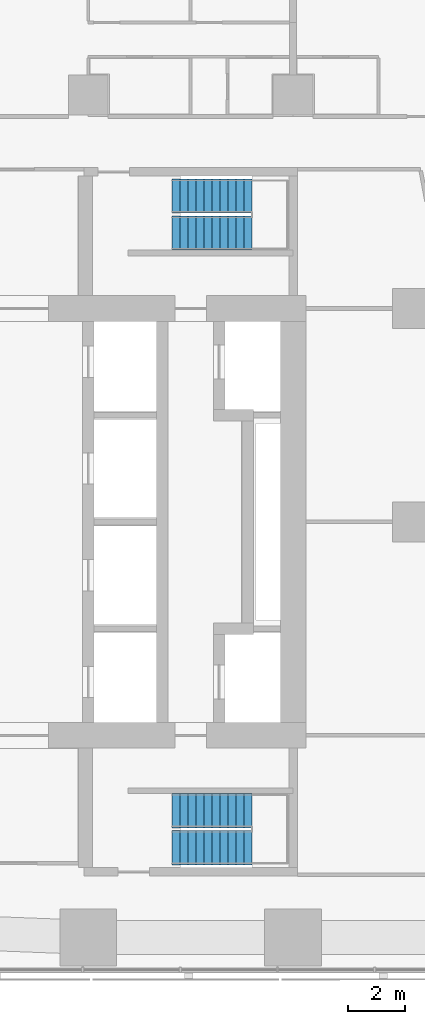
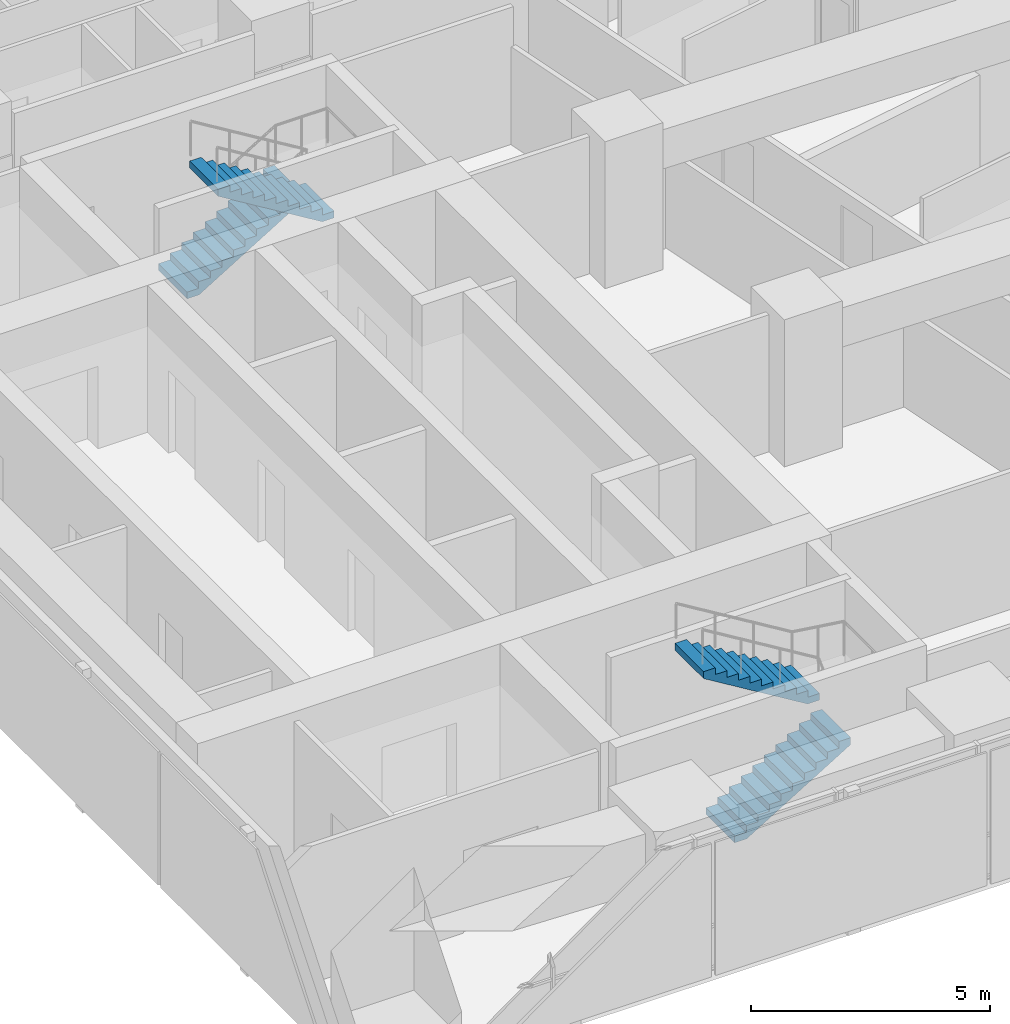
# One storey, part 10 of 11: 4 stair flights, 2 elements without a shape of their own.
"""IFC4 building model written with IfcOpenShell, lengths in metres."""

import ifcopenshell
import ifcopenshell.guid

model = None  # the IFC model being written
_history = None  # IfcOwnerHistory: only IFC2X3 demands one
_inside = {}  # id of a spatial element -> (the spatial element, [elements in it])
_under = {}  # id of a project, library or spatial element -> (it, [spatial elements below it])
_declared = {}  # id of a project -> (the project, [libraries it declares])
_typed = {}  # id of a type object -> (the type object, [elements of that type])
_made_of = {}  # id of a material, layer set ... -> (it, [elements and type objects made of it])


def new_model(schema):
    """Start an empty IFC model of exactly this schema.

    Asked for "IFC4X3", IfcOpenShell would pick the latest addendum, in which some entities
    have other attributes; the version numbers below select the first issue.
    IFC2X3 requires an IfcOwnerHistory on every rooted entity: one is made here for all.
    """
    global model, _history
    if schema == "IFC4X3":
        model = ifcopenshell.file(schema_version=(4, 3, 0, 0))
    else:
        model = ifcopenshell.file(schema=schema)
    _inside.clear()
    _under.clear()
    _declared.clear()
    _typed.clear()
    _made_of.clear()
    _history = None
    if model.schema == "IFC2X3":
        org = make("IfcOrganization", Name="unknown")
        user = make(
            "IfcPersonAndOrganization",
            ThePerson=make("IfcPerson", FamilyName="unknown"),
            TheOrganization=org,
        )
        app = make(
            "IfcApplication",
            ApplicationDeveloper=org,
            Version="unknown",
            ApplicationFullName="unknown",
            ApplicationIdentifier="unknown",
        )
        _history = make(
            "IfcOwnerHistory",
            OwningUser=user,
            OwningApplication=app,
            ChangeAction="ADDED",
            CreationDate=0,
        )
    return model


def make(cls, **values):
    """One entity of the class cls with the attributes given. An attribute that is None is left unset."""
    return model.create_entity(
        cls, **{name: value for name, value in values.items() if value is not None}
    )


def rooted(cls, **values):
    """An entity with a GlobalId (a new one), such as an element, a storey or a relation."""
    return make(cls, GlobalId=ifcopenshell.guid.new(), OwnerHistory=_history, **values)


def si_unit(unit_type, name, prefix=None):
    """IfcSIUnit, for example si_unit("LENGTHUNIT", "METRE", prefix="MILLI")."""
    return make("IfcSIUnit", UnitType=unit_type, Prefix=prefix, Name=name)


def assignment(units):
    """IfcUnitAssignment: the units of a project."""
    return None if units is None else make("IfcUnitAssignment", Units=units)


def point(xyz):
    """IfcCartesianPoint."""
    return None if xyz is None else make("IfcCartesianPoint", Coordinates=xyz)


def direction(xyz):
    """IfcDirection."""
    return None if xyz is None else make("IfcDirection", DirectionRatios=xyz)


def frame(location, z_axis=None, x_axis=None):
    """IfcAxis2Placement3D, a coordinate frame: its origin and axes. An axis left out is left unset."""
    return make(
        "IfcAxis2Placement3D",
        Location=point(location),
        Axis=direction(z_axis),
        RefDirection=direction(x_axis),
    )


def origin():
    """The frame at (0, 0, 0) with its axes left unset."""
    return frame((0.0, 0.0, 0.0))


def place(relative_to, where):
    """IfcLocalPlacement: puts the frame where relative to a parent placement (None: the world)."""
    return make(
        "IfcLocalPlacement", PlacementRelTo=relative_to, RelativePlacement=where
    )


def context(
    kind, dimensions, precision=None, world=None, true_north=None, identifier=None
):
    """IfcGeometricRepresentationContext, for example the 3D "Model" context."""
    return make(
        "IfcGeometricRepresentationContext",
        ContextIdentifier=identifier,
        ContextType=kind,
        CoordinateSpaceDimension=dimensions,
        Precision=precision,
        WorldCoordinateSystem=world,
        TrueNorth=true_north,
    )


def subcontext(parent, identifier, kind, view, scale=None):
    """IfcGeometricRepresentationSubContext, for example "Body" below "Model"."""
    return make(
        "IfcGeometricRepresentationSubContext",
        ContextIdentifier=identifier,
        ContextType=kind,
        ParentContext=parent,
        TargetScale=scale,
        TargetView=view,
    )


def project(units=None, contexts=None):
    """IfcProject with its units and contexts."""
    return rooted(
        "IfcProject",
        Name="project",
        RepresentationContexts=contexts,
        UnitsInContext=assignment(units),
    )


def spatial(cls, under=None, at=None, **own):
    """A site, building, storey or space (cls), placed at a placement, below another one or the project."""
    s = rooted(cls, ObjectPlacement=at, **own)
    if under is not None:
        _under.setdefault(under.id(), (under, []))[1].append(s)
    return s


def point_list(points):
    """IfcCartesianPointList2D or 3D."""
    cls = (
        "IfcCartesianPointList2D" if len(points[0]) == 2 else "IfcCartesianPointList3D"
    )
    return make(cls, CoordList=points)


def triangles(points, corners, closed=None, point_numbers=None):
    """IfcTriangulatedFaceSet: each triangle names its three corners, points numbered from 1."""
    return make(
        "IfcTriangulatedFaceSet",
        Coordinates=point_list(points),
        Closed=closed,
        CoordIndex=corners,
        PnIndex=point_numbers,
    )


def shape(context_of_items, identifier, shape_type, items):
    """IfcShapeRepresentation: the items that make up one representation, for example the "Body"."""
    return make(
        "IfcShapeRepresentation",
        ContextOfItems=context_of_items,
        RepresentationIdentifier=identifier,
        RepresentationType=shape_type,
        Items=items,
    )


def material(Name=None, Category=None):
    """IfcMaterial."""
    return make("IfcMaterial", Name=Name, Category=Category)


def made_of(thing, what):
    """Note that an element or type object is made of a material, layer set ...; save() writes the relation."""
    if what is not None:
        _made_of.setdefault(what.id(), (what, []))[1].append(thing)
    return thing


def type_object(cls, material=None, **own):
    """A type object (cls), such as IfcWallType, which elements share."""
    return made_of(rooted(cls, **own), material)


def element(
    cls,
    number,
    at=None,
    inside=None,
    cuts=None,
    type_object=None,
    material=None,
    context=None,
    identifier="Body",
    shape_type=None,
    held_by="IfcProductDefinitionShape",
    body=None,
    shapes=None,
    **own,
):
    """One element of the class cls, such as IfcWall. Its Tag is "e" and its number.

    at: its placement. inside: the storey or other place that contains it. cuts: it is an
    opening in that element (IfcRelVoidsElement). A single representation is given by context,
    identifier, shape_type and body (its items); several are given by shapes. held_by: the class
    of the entity that holds the representations. save() writes the other relations.
    """
    e = rooted(cls, Tag="e%d" % number, ObjectPlacement=at, **own)
    if body is not None:
        shapes = [shape(context, identifier, shape_type, body)]
    if shapes is not None:
        e.Representation = make(held_by, Representations=shapes)
    if inside is not None:
        _inside.setdefault(inside.id(), (inside, []))[1].append(e)
    if cuts is not None:
        rooted(
            "IfcRelVoidsElement", RelatingBuildingElement=cuts, RelatedOpeningElement=e
        )
    if type_object is not None:
        _typed.setdefault(type_object.id(), (type_object, []))[1].append(e)
    return made_of(e, material)


def aggregate(whole, parts):
    """IfcRelAggregates: a whole, such as a stair, and the parts it consists of."""
    return rooted("IfcRelAggregates", RelatingObject=whole, RelatedObjects=parts)


def save(model, path):
    """Write the relations noted so far, then the file.

    IfcRelAggregates (storeys below a building ...), IfcRelContainedInSpatialStructure (elements
    in a storey), IfcRelDefinesByType, IfcRelAssociatesMaterial and IfcRelDeclares: one each for
    every whole, place, type object, material and project.
    """
    for whole, parts in _under.values():
        aggregate(whole, parts)
    for where, things in _inside.values():
        rooted(
            "IfcRelContainedInSpatialStructure",
            RelatedElements=things,
            RelatingStructure=where,
        )
    for kind, things in _typed.values():
        rooted("IfcRelDefinesByType", RelatedObjects=things, RelatingType=kind)
    for what, things in _made_of.values():
        rooted("IfcRelAssociatesMaterial", RelatedObjects=things, RelatingMaterial=what)
    for by, libraries in _declared.values():
        rooted("IfcRelDeclares", RelatingContext=by, RelatedDefinitions=libraries)
    model.write(path)


model = new_model("IFC4")

# Units and contexts
model_context = context("Model", 3, precision=1e-05, world=origin(), true_north=direction((0.0, 1.0)))
body_context = subcontext(model_context, "Body", "Model", "MODEL_VIEW")
ifc_project = project(units=[si_unit("LENGTHUNIT", "METRE"), si_unit("AREAUNIT", "SQUARE_METRE"), si_unit("VOLUMEUNIT", "CUBIC_METRE"), si_unit("PLANEANGLEUNIT", "RADIAN"), si_unit("MASSUNIT", "GRAM", prefix="KILO")], contexts=[model_context])

# Site, building, storey
site_placement = place(None, origin())
site = spatial("IfcSite", under=ifc_project, at=site_placement, CompositionType="ELEMENT")
building_placement = place(site_placement, origin())
building = spatial("IfcBuilding", under=site, at=building_placement, Name="Sheger Commons Tower", CompositionType="ELEMENT")
storey_placement = place(building_placement, frame((0.0, 0.0, 277.85009765625)))
storey = spatial("IfcBuildingStorey", under=building, at=storey_placement, Name="L71", CompositionType="ELEMENT", Elevation=277.85009765625)

# Stair, stair flights
ifc_material_1 = material(Name="Concrete C35/45", Category="concrete")
stair_type = type_object("IfcStairType", Name="HALF-TURN STAIR 1200 RISE 3750", PredefinedType="HALF_TURN_STAIR", material=ifc_material_1)
stair_1_placement = place(storey_placement, origin())
stair_1 = element("IfcStair", 1, at=stair_1_placement, inside=storey, type_object=stair_type, Name="Stair S1 L71", PredefinedType="HALF_TURN_STAIR")
ifc_material_2 = material(Name="Concrete C35/45", Category="concrete")
stair_flight_type = type_object("IfcStairFlightType", Name="STAIR FLIGHT 1200 11 RISERS OF 170", PredefinedType="STRAIGHT", material=ifc_material_2)
stair_flight_1_placement = place(storey_placement, frame((24.550048828125, 11.050048828125, 0.0), z_axis=(0.0, 0.0, 1.0), x_axis=(1.0, 0.0, 0.0)))
stair_flight_1 = element("IfcStairFlight", 2, at=stair_flight_1_placement, type_object=stair_flight_type, Name="S1 flight 1", NumberOfRisers=11, NumberOfTreads=10, PredefinedType="STRAIGHT", RiserHeight=0.170454545, TreadLength=0.28, context=body_context, shape_type="Tessellation", body=[
    triangles([(0.0, 0.5999755859375, 0.0), (0.0, 0.5999755859375, 0.17041015625), (0.280029296875, 0.5999755859375, 0.17041015625), (0.280029296875, 0.5999755859375, 0.3408203125), (0.56005859375, 0.5999755859375, 0.3408203125), (0.56005859375, 0.5999755859375, 0.511474609375), (0.840087890625, 0.5999755859375, 0.511474609375), (0.840087890625, 0.5999755859375, 0.681884765625), (1.1201171875, 0.5999755859375, 0.681884765625), (1.1201171875, 0.5999755859375, 0.852294921875), (1.39990234375, 0.5999755859375, 0.852294921875), (1.39990234375, 0.5999755859375, 1.022705078125), (1.679931640625, 0.5999755859375, 1.022705078125), (1.679931640625, 0.5999755859375, 1.193115234375), (1.9599609375, 0.5999755859375, 1.193115234375), (1.9599609375, 0.5999755859375, 1.363525390625), (2.239990234375, 0.5999755859375, 1.363525390625), (2.239990234375, 0.5999755859375, 1.5341796875), (2.52001953125, 0.5999755859375, 1.5341796875), (2.52001953125, 0.5999755859375, 1.70458984375), (2.800048828125, 0.5999755859375, 1.70458984375), (2.800048828125, 0.5999755859375, 1.529052734375), (0.288330078125, 0.5999755859375, 0.0), (0.0, -0.5999755859375, 0.0), (0.0, -0.5999755859375, 0.17041015625), (0.280029296875, -0.5999755859375, 0.17041015625), (0.280029296875, -0.5999755859375, 0.3408203125), (0.56005859375, -0.5999755859375, 0.3408203125), (0.56005859375, -0.5999755859375, 0.511474609375), (0.840087890625, -0.5999755859375, 0.511474609375), (0.840087890625, -0.5999755859375, 0.681884765625), (1.1201171875, -0.5999755859375, 0.681884765625), (1.1201171875, -0.5999755859375, 0.852294921875), (1.39990234375, -0.5999755859375, 0.852294921875), (1.39990234375, -0.5999755859375, 1.022705078125), (1.679931640625, -0.5999755859375, 1.022705078125), (1.679931640625, -0.5999755859375, 1.193115234375), (1.9599609375, -0.5999755859375, 1.193115234375), (1.9599609375, -0.5999755859375, 1.363525390625), (2.239990234375, -0.5999755859375, 1.363525390625), (2.239990234375, -0.5999755859375, 1.5341796875), (2.52001953125, -0.5999755859375, 1.5341796875), (2.52001953125, -0.5999755859375, 1.70458984375), (2.800048828125, -0.5999755859375, 1.70458984375), (2.800048828125, -0.5999755859375, 1.529052734375), (0.288330078125, -0.5999755859375, 0.0), (0.0, 0.0, 0.085205078125), (0.1400146484375, 0.0, 0.17041015625), (0.280029296875, 0.0, 0.255615234375), (0.4200439453125, 0.0, 0.3408203125), (0.56005859375, 0.0, 0.4261474609375), (0.7000732421875, 0.0, 0.511474609375), (0.840087890625, 0.0, 0.5966796875), (0.9801025390625, 0.0, 0.681884765625), (1.1201171875, 0.0, 0.76708984375), (1.260009765625, 0.0, 0.852294921875), (1.39990234375, 0.0, 0.9375), (1.5399169921875, 0.0, 1.022705078125), (1.679931640625, 0.0, 1.10791015625), (1.8199462890625, 0.0, 1.193115234375), (1.9599609375, 0.0, 1.2783203125), (2.0999755859375, 0.0, 1.363525390625), (2.239990234375, 0.0, 1.4488525390625), (2.3800048828125, 0.0, 1.5341796875), (2.52001953125, 0.0, 1.619384765625), (2.6600341796875, 0.0, 1.70458984375), (2.800048828125, 0.0, 1.6168212890625), (1.544189453125, 0.0, 0.7645263671875), (0.1441650390625, 0.0, 0.0)], [[1, 22, 23], [24, 46, 45], [22, 20, 21], [45, 44, 43], [22, 19, 20], [45, 43, 42], [22, 18, 19], [45, 42, 41], [22, 17, 18], [45, 41, 40], [17, 15, 16], [40, 39, 38], [22, 15, 17], [45, 40, 38], [15, 13, 14], [38, 37, 36], [22, 13, 15], [45, 38, 36], [13, 11, 12], [36, 35, 34], [22, 11, 13], [45, 36, 34], [11, 9, 10], [34, 33, 32], [22, 9, 11], [45, 34, 32], [9, 7, 8], [32, 31, 30], [22, 7, 9], [45, 32, 30], [7, 5, 6], [30, 29, 28], [22, 5, 7], [45, 30, 28], [5, 3, 4], [28, 27, 26], [22, 3, 5], [45, 28, 26], [1, 3, 22], [24, 45, 26], [3, 1, 2], [26, 25, 24], [1, 47, 2], [2, 47, 25], [25, 47, 24], [24, 47, 1], [2, 48, 3], [3, 48, 26], [26, 48, 25], [25, 48, 2], [3, 49, 4], [4, 49, 27], [27, 49, 26], [26, 49, 3], [4, 50, 5], [5, 50, 28], [28, 50, 27], [27, 50, 4], [5, 51, 6], [6, 51, 29], [29, 51, 28], [28, 51, 5], [6, 52, 7], [7, 52, 30], [30, 52, 29], [29, 52, 6], [7, 53, 8], [8, 53, 31], [31, 53, 30], [30, 53, 7], [8, 54, 9], [9, 54, 32], [32, 54, 31], [31, 54, 8], [9, 55, 10], [10, 55, 33], [33, 55, 32], [32, 55, 9], [10, 56, 11], [11, 56, 34], [34, 56, 33], [33, 56, 10], [11, 57, 12], [12, 57, 35], [35, 57, 34], [34, 57, 11], [12, 58, 13], [13, 58, 36], [36, 58, 35], [35, 58, 12], [13, 59, 14], [14, 59, 37], [37, 59, 36], [36, 59, 13], [14, 60, 15], [15, 60, 38], [38, 60, 37], [37, 60, 14], [15, 61, 16], [16, 61, 39], [39, 61, 38], [38, 61, 15], [16, 62, 17], [17, 62, 40], [40, 62, 39], [39, 62, 16], [17, 63, 18], [18, 63, 41], [41, 63, 40], [40, 63, 17], [18, 64, 19], [19, 64, 42], [42, 64, 41], [41, 64, 18], [19, 65, 20], [20, 65, 43], [43, 65, 42], [42, 65, 19], [20, 66, 21], [21, 66, 44], [44, 66, 43], [43, 66, 20], [21, 67, 22], [22, 67, 45], [45, 67, 44], [44, 67, 21], [22, 68, 23], [23, 68, 46], [46, 68, 45], [45, 68, 22], [23, 69, 1], [1, 69, 24], [24, 69, 46], [46, 69, 23]], closed=True),
])
stair_flight_2_placement = place(storey_placement, frame((27.35009765625, 12.35009765625, 1.875), z_axis=(0.0, 0.0, 1.0), x_axis=(-1.0, 0.0, 0.0)))
stair_flight_2 = element("IfcStairFlight", 3, at=stair_flight_2_placement, type_object=stair_flight_type, Name="S1 flight 2", NumberOfRisers=11, NumberOfTreads=10, PredefinedType="STRAIGHT", RiserHeight=0.170454545, TreadLength=0.28, context=body_context, shape_type="Tessellation", body=[
    triangles([(0.0, 0.5999755859375, 0.0), (0.0, 0.5999755859375, 0.17041015625), (0.280029296875, 0.5999755859375, 0.17041015625), (0.280029296875, 0.5999755859375, 0.3408203125), (0.56005859375, 0.5999755859375, 0.3408203125), (0.56005859375, 0.5999755859375, 0.511474609375), (0.840087890625, 0.5999755859375, 0.511474609375), (0.840087890625, 0.5999755859375, 0.681884765625), (1.1201171875, 0.5999755859375, 0.681884765625), (1.1201171875, 0.5999755859375, 0.852294921875), (1.39990234375, 0.5999755859375, 0.852294921875), (1.39990234375, 0.5999755859375, 1.022705078125), (1.679931640625, 0.5999755859375, 1.022705078125), (1.679931640625, 0.5999755859375, 1.193115234375), (1.9599609375, 0.5999755859375, 1.193115234375), (1.9599609375, 0.5999755859375, 1.363525390625), (2.239990234375, 0.5999755859375, 1.363525390625), (2.239990234375, 0.5999755859375, 1.5341796875), (2.52001953125, 0.5999755859375, 1.5341796875), (2.52001953125, 0.5999755859375, 1.70458984375), (2.800048828125, 0.5999755859375, 1.70458984375), (2.800048828125, 0.5999755859375, 1.529052734375), (0.288330078125, 0.5999755859375, 0.0), (0.0, -0.5999755859375, 0.0), (0.0, -0.5999755859375, 0.17041015625), (0.280029296875, -0.5999755859375, 0.17041015625), (0.280029296875, -0.5999755859375, 0.3408203125), (0.56005859375, -0.5999755859375, 0.3408203125), (0.56005859375, -0.5999755859375, 0.511474609375), (0.840087890625, -0.5999755859375, 0.511474609375), (0.840087890625, -0.5999755859375, 0.681884765625), (1.1201171875, -0.5999755859375, 0.681884765625), (1.1201171875, -0.5999755859375, 0.852294921875), (1.39990234375, -0.5999755859375, 0.852294921875), (1.39990234375, -0.5999755859375, 1.022705078125), (1.679931640625, -0.5999755859375, 1.022705078125), (1.679931640625, -0.5999755859375, 1.193115234375), (1.9599609375, -0.5999755859375, 1.193115234375), (1.9599609375, -0.5999755859375, 1.363525390625), (2.239990234375, -0.5999755859375, 1.363525390625), (2.239990234375, -0.5999755859375, 1.5341796875), (2.52001953125, -0.5999755859375, 1.5341796875), (2.52001953125, -0.5999755859375, 1.70458984375), (2.800048828125, -0.5999755859375, 1.70458984375), (2.800048828125, -0.5999755859375, 1.529052734375), (0.288330078125, -0.5999755859375, 0.0), (0.0, 0.0, 0.085205078125), (0.1400146484375, 0.0, 0.17041015625), (0.280029296875, 0.0, 0.255615234375), (0.4200439453125, 0.0, 0.3408203125), (0.56005859375, 0.0, 0.4261474609375), (0.7000732421875, 0.0, 0.511474609375), (0.840087890625, 0.0, 0.5966796875), (0.9801025390625, 0.0, 0.681884765625), (1.1201171875, 0.0, 0.76708984375), (1.260009765625, 0.0, 0.852294921875), (1.39990234375, 0.0, 0.9375), (1.5399169921875, 0.0, 1.022705078125), (1.679931640625, 0.0, 1.10791015625), (1.8199462890625, 0.0, 1.193115234375), (1.9599609375, 0.0, 1.2783203125), (2.0999755859375, 0.0, 1.363525390625), (2.239990234375, 0.0, 1.4488525390625), (2.3800048828125, 0.0, 1.5341796875), (2.52001953125, 0.0, 1.619384765625), (2.6600341796875, 0.0, 1.70458984375), (2.800048828125, 0.0, 1.6168212890625), (1.544189453125, 0.0, 0.7645263671875), (0.1441650390625, 0.0, 0.0)], [[1, 22, 23], [24, 46, 45], [22, 20, 21], [45, 44, 43], [22, 19, 20], [45, 43, 42], [22, 18, 19], [45, 42, 41], [22, 17, 18], [45, 41, 40], [17, 15, 16], [40, 39, 38], [22, 15, 17], [45, 40, 38], [15, 13, 14], [38, 37, 36], [22, 13, 15], [45, 38, 36], [13, 11, 12], [36, 35, 34], [22, 11, 13], [45, 36, 34], [11, 9, 10], [34, 33, 32], [22, 9, 11], [45, 34, 32], [9, 7, 8], [32, 31, 30], [22, 7, 9], [45, 32, 30], [7, 5, 6], [30, 29, 28], [22, 5, 7], [45, 30, 28], [5, 3, 4], [28, 27, 26], [22, 3, 5], [45, 28, 26], [1, 3, 22], [24, 45, 26], [3, 1, 2], [26, 25, 24], [1, 47, 2], [2, 47, 25], [25, 47, 24], [24, 47, 1], [2, 48, 3], [3, 48, 26], [26, 48, 25], [25, 48, 2], [3, 49, 4], [4, 49, 27], [27, 49, 26], [26, 49, 3], [4, 50, 5], [5, 50, 28], [28, 50, 27], [27, 50, 4], [5, 51, 6], [6, 51, 29], [29, 51, 28], [28, 51, 5], [6, 52, 7], [7, 52, 30], [30, 52, 29], [29, 52, 6], [7, 53, 8], [8, 53, 31], [31, 53, 30], [30, 53, 7], [8, 54, 9], [9, 54, 32], [32, 54, 31], [31, 54, 8], [9, 55, 10], [10, 55, 33], [33, 55, 32], [32, 55, 9], [10, 56, 11], [11, 56, 34], [34, 56, 33], [33, 56, 10], [11, 57, 12], [12, 57, 35], [35, 57, 34], [34, 57, 11], [12, 58, 13], [13, 58, 36], [36, 58, 35], [35, 58, 12], [13, 59, 14], [14, 59, 37], [37, 59, 36], [36, 59, 13], [14, 60, 15], [15, 60, 38], [38, 60, 37], [37, 60, 14], [15, 61, 16], [16, 61, 39], [39, 61, 38], [38, 61, 15], [16, 62, 17], [17, 62, 40], [40, 62, 39], [39, 62, 16], [17, 63, 18], [18, 63, 41], [41, 63, 40], [40, 63, 17], [18, 64, 19], [19, 64, 42], [42, 64, 41], [41, 64, 18], [19, 65, 20], [20, 65, 43], [43, 65, 42], [42, 65, 19], [20, 66, 21], [21, 66, 44], [44, 66, 43], [43, 66, 20], [21, 67, 22], [22, 67, 45], [45, 67, 44], [44, 67, 21], [22, 68, 23], [23, 68, 46], [46, 68, 45], [45, 68, 22], [23, 69, 1], [1, 69, 24], [24, 69, 46], [46, 69, 23]], closed=True),
])
aggregate(stair_1, [stair_flight_1, stair_flight_2])

stair_2_placement = place(storey_placement, origin())
stair_2 = element("IfcStair", 4, at=stair_2_placement, inside=storey, type_object=stair_type, Name="Stair S2 L71", PredefinedType="HALF_TURN_STAIR")
stair_flight_3_placement = place(storey_placement, frame((24.550048828125, 33.949951171875, 0.0), z_axis=(0.0, 0.0, 1.0), x_axis=(1.0, 0.0, 0.0)))
stair_flight_3 = element("IfcStairFlight", 5, at=stair_flight_3_placement, type_object=stair_flight_type, Name="S2 flight 1", NumberOfRisers=11, NumberOfTreads=10, PredefinedType="STRAIGHT", RiserHeight=0.170454545, TreadLength=0.28, context=body_context, shape_type="Tessellation", body=[
    triangles([(0.0, 0.5999755859375, 0.0), (0.0, 0.5999755859375, 0.17041015625), (0.280029296875, 0.5999755859375, 0.17041015625), (0.280029296875, 0.5999755859375, 0.3408203125), (0.56005859375, 0.5999755859375, 0.3408203125), (0.56005859375, 0.5999755859375, 0.511474609375), (0.840087890625, 0.5999755859375, 0.511474609375), (0.840087890625, 0.5999755859375, 0.681884765625), (1.1201171875, 0.5999755859375, 0.681884765625), (1.1201171875, 0.5999755859375, 0.852294921875), (1.39990234375, 0.5999755859375, 0.852294921875), (1.39990234375, 0.5999755859375, 1.022705078125), (1.679931640625, 0.5999755859375, 1.022705078125), (1.679931640625, 0.5999755859375, 1.193115234375), (1.9599609375, 0.5999755859375, 1.193115234375), (1.9599609375, 0.5999755859375, 1.363525390625), (2.239990234375, 0.5999755859375, 1.363525390625), (2.239990234375, 0.5999755859375, 1.5341796875), (2.52001953125, 0.5999755859375, 1.5341796875), (2.52001953125, 0.5999755859375, 1.70458984375), (2.800048828125, 0.5999755859375, 1.70458984375), (2.800048828125, 0.5999755859375, 1.529052734375), (0.288330078125, 0.5999755859375, 0.0), (0.0, -0.5999755859375, 0.0), (0.0, -0.5999755859375, 0.17041015625), (0.280029296875, -0.5999755859375, 0.17041015625), (0.280029296875, -0.5999755859375, 0.3408203125), (0.56005859375, -0.5999755859375, 0.3408203125), (0.56005859375, -0.5999755859375, 0.511474609375), (0.840087890625, -0.5999755859375, 0.511474609375), (0.840087890625, -0.5999755859375, 0.681884765625), (1.1201171875, -0.5999755859375, 0.681884765625), (1.1201171875, -0.5999755859375, 0.852294921875), (1.39990234375, -0.5999755859375, 0.852294921875), (1.39990234375, -0.5999755859375, 1.022705078125), (1.679931640625, -0.5999755859375, 1.022705078125), (1.679931640625, -0.5999755859375, 1.193115234375), (1.9599609375, -0.5999755859375, 1.193115234375), (1.9599609375, -0.5999755859375, 1.363525390625), (2.239990234375, -0.5999755859375, 1.363525390625), (2.239990234375, -0.5999755859375, 1.5341796875), (2.52001953125, -0.5999755859375, 1.5341796875), (2.52001953125, -0.5999755859375, 1.70458984375), (2.800048828125, -0.5999755859375, 1.70458984375), (2.800048828125, -0.5999755859375, 1.529052734375), (0.288330078125, -0.5999755859375, 0.0), (0.0, 0.0, 0.085205078125), (0.1400146484375, 0.0, 0.17041015625), (0.280029296875, 0.0, 0.255615234375), (0.4200439453125, 0.0, 0.3408203125), (0.56005859375, 0.0, 0.4261474609375), (0.7000732421875, 0.0, 0.511474609375), (0.840087890625, 0.0, 0.5966796875), (0.9801025390625, 0.0, 0.681884765625), (1.1201171875, 0.0, 0.76708984375), (1.260009765625, 0.0, 0.852294921875), (1.39990234375, 0.0, 0.9375), (1.5399169921875, 0.0, 1.022705078125), (1.679931640625, 0.0, 1.10791015625), (1.8199462890625, 0.0, 1.193115234375), (1.9599609375, 0.0, 1.2783203125), (2.0999755859375, 0.0, 1.363525390625), (2.239990234375, 0.0, 1.4488525390625), (2.3800048828125, 0.0, 1.5341796875), (2.52001953125, 0.0, 1.619384765625), (2.6600341796875, 0.0, 1.70458984375), (2.800048828125, 0.0, 1.6168212890625), (1.544189453125, 0.0, 0.7645263671875), (0.1441650390625, 0.0, 0.0)], [[1, 22, 23], [24, 46, 45], [22, 20, 21], [45, 44, 43], [22, 19, 20], [45, 43, 42], [22, 18, 19], [45, 42, 41], [22, 17, 18], [45, 41, 40], [17, 15, 16], [40, 39, 38], [22, 15, 17], [45, 40, 38], [15, 13, 14], [38, 37, 36], [22, 13, 15], [45, 38, 36], [13, 11, 12], [36, 35, 34], [22, 11, 13], [45, 36, 34], [11, 9, 10], [34, 33, 32], [22, 9, 11], [45, 34, 32], [9, 7, 8], [32, 31, 30], [22, 7, 9], [45, 32, 30], [7, 5, 6], [30, 29, 28], [22, 5, 7], [45, 30, 28], [5, 3, 4], [28, 27, 26], [22, 3, 5], [45, 28, 26], [1, 3, 22], [24, 45, 26], [3, 1, 2], [26, 25, 24], [1, 47, 2], [2, 47, 25], [25, 47, 24], [24, 47, 1], [2, 48, 3], [3, 48, 26], [26, 48, 25], [25, 48, 2], [3, 49, 4], [4, 49, 27], [27, 49, 26], [26, 49, 3], [4, 50, 5], [5, 50, 28], [28, 50, 27], [27, 50, 4], [5, 51, 6], [6, 51, 29], [29, 51, 28], [28, 51, 5], [6, 52, 7], [7, 52, 30], [30, 52, 29], [29, 52, 6], [7, 53, 8], [8, 53, 31], [31, 53, 30], [30, 53, 7], [8, 54, 9], [9, 54, 32], [32, 54, 31], [31, 54, 8], [9, 55, 10], [10, 55, 33], [33, 55, 32], [32, 55, 9], [10, 56, 11], [11, 56, 34], [34, 56, 33], [33, 56, 10], [11, 57, 12], [12, 57, 35], [35, 57, 34], [34, 57, 11], [12, 58, 13], [13, 58, 36], [36, 58, 35], [35, 58, 12], [13, 59, 14], [14, 59, 37], [37, 59, 36], [36, 59, 13], [14, 60, 15], [15, 60, 38], [38, 60, 37], [37, 60, 14], [15, 61, 16], [16, 61, 39], [39, 61, 38], [38, 61, 15], [16, 62, 17], [17, 62, 40], [40, 62, 39], [39, 62, 16], [17, 63, 18], [18, 63, 41], [41, 63, 40], [40, 63, 17], [18, 64, 19], [19, 64, 42], [42, 64, 41], [41, 64, 18], [19, 65, 20], [20, 65, 43], [43, 65, 42], [42, 65, 19], [20, 66, 21], [21, 66, 44], [44, 66, 43], [43, 66, 20], [21, 67, 22], [22, 67, 45], [45, 67, 44], [44, 67, 21], [22, 68, 23], [23, 68, 46], [46, 68, 45], [45, 68, 22], [23, 69, 1], [1, 69, 24], [24, 69, 46], [46, 69, 23]], closed=True),
])
stair_flight_4_placement = place(storey_placement, frame((27.35009765625, 32.64990234375, 1.875), z_axis=(0.0, 0.0, 1.0), x_axis=(-1.0, 0.0, 0.0)))
stair_flight_4 = element("IfcStairFlight", 6, at=stair_flight_4_placement, type_object=stair_flight_type, Name="S2 flight 2", NumberOfRisers=11, NumberOfTreads=10, PredefinedType="STRAIGHT", RiserHeight=0.170454545, TreadLength=0.28, context=body_context, shape_type="Tessellation", body=[
    triangles([(0.0, 0.5999755859375, 0.0), (0.0, 0.5999755859375, 0.17041015625), (0.280029296875, 0.5999755859375, 0.17041015625), (0.280029296875, 0.5999755859375, 0.3408203125), (0.56005859375, 0.5999755859375, 0.3408203125), (0.56005859375, 0.5999755859375, 0.511474609375), (0.840087890625, 0.5999755859375, 0.511474609375), (0.840087890625, 0.5999755859375, 0.681884765625), (1.1201171875, 0.5999755859375, 0.681884765625), (1.1201171875, 0.5999755859375, 0.852294921875), (1.39990234375, 0.5999755859375, 0.852294921875), (1.39990234375, 0.5999755859375, 1.022705078125), (1.679931640625, 0.5999755859375, 1.022705078125), (1.679931640625, 0.5999755859375, 1.193115234375), (1.9599609375, 0.5999755859375, 1.193115234375), (1.9599609375, 0.5999755859375, 1.363525390625), (2.239990234375, 0.5999755859375, 1.363525390625), (2.239990234375, 0.5999755859375, 1.5341796875), (2.52001953125, 0.5999755859375, 1.5341796875), (2.52001953125, 0.5999755859375, 1.70458984375), (2.800048828125, 0.5999755859375, 1.70458984375), (2.800048828125, 0.5999755859375, 1.529052734375), (0.288330078125, 0.5999755859375, 0.0), (0.0, -0.5999755859375, 0.0), (0.0, -0.5999755859375, 0.17041015625), (0.280029296875, -0.5999755859375, 0.17041015625), (0.280029296875, -0.5999755859375, 0.3408203125), (0.56005859375, -0.5999755859375, 0.3408203125), (0.56005859375, -0.5999755859375, 0.511474609375), (0.840087890625, -0.5999755859375, 0.511474609375), (0.840087890625, -0.5999755859375, 0.681884765625), (1.1201171875, -0.5999755859375, 0.681884765625), (1.1201171875, -0.5999755859375, 0.852294921875), (1.39990234375, -0.5999755859375, 0.852294921875), (1.39990234375, -0.5999755859375, 1.022705078125), (1.679931640625, -0.5999755859375, 1.022705078125), (1.679931640625, -0.5999755859375, 1.193115234375), (1.9599609375, -0.5999755859375, 1.193115234375), (1.9599609375, -0.5999755859375, 1.363525390625), (2.239990234375, -0.5999755859375, 1.363525390625), (2.239990234375, -0.5999755859375, 1.5341796875), (2.52001953125, -0.5999755859375, 1.5341796875), (2.52001953125, -0.5999755859375, 1.70458984375), (2.800048828125, -0.5999755859375, 1.70458984375), (2.800048828125, -0.5999755859375, 1.529052734375), (0.288330078125, -0.5999755859375, 0.0), (0.0, 0.0, 0.085205078125), (0.1400146484375, 0.0, 0.17041015625), (0.280029296875, 0.0, 0.255615234375), (0.4200439453125, 0.0, 0.3408203125), (0.56005859375, 0.0, 0.4261474609375), (0.7000732421875, 0.0, 0.511474609375), (0.840087890625, 0.0, 0.5966796875), (0.9801025390625, 0.0, 0.681884765625), (1.1201171875, 0.0, 0.76708984375), (1.260009765625, 0.0, 0.852294921875), (1.39990234375, 0.0, 0.9375), (1.5399169921875, 0.0, 1.022705078125), (1.679931640625, 0.0, 1.10791015625), (1.8199462890625, 0.0, 1.193115234375), (1.9599609375, 0.0, 1.2783203125), (2.0999755859375, 0.0, 1.363525390625), (2.239990234375, 0.0, 1.4488525390625), (2.3800048828125, 0.0, 1.5341796875), (2.52001953125, 0.0, 1.619384765625), (2.6600341796875, 0.0, 1.70458984375), (2.800048828125, 0.0, 1.6168212890625), (1.544189453125, 0.0, 0.7645263671875), (0.1441650390625, 0.0, 0.0)], [[1, 22, 23], [24, 46, 45], [22, 20, 21], [45, 44, 43], [22, 19, 20], [45, 43, 42], [22, 18, 19], [45, 42, 41], [22, 17, 18], [45, 41, 40], [17, 15, 16], [40, 39, 38], [22, 15, 17], [45, 40, 38], [15, 13, 14], [38, 37, 36], [22, 13, 15], [45, 38, 36], [13, 11, 12], [36, 35, 34], [22, 11, 13], [45, 36, 34], [11, 9, 10], [34, 33, 32], [22, 9, 11], [45, 34, 32], [9, 7, 8], [32, 31, 30], [22, 7, 9], [45, 32, 30], [7, 5, 6], [30, 29, 28], [22, 5, 7], [45, 30, 28], [5, 3, 4], [28, 27, 26], [22, 3, 5], [45, 28, 26], [1, 3, 22], [24, 45, 26], [3, 1, 2], [26, 25, 24], [1, 47, 2], [2, 47, 25], [25, 47, 24], [24, 47, 1], [2, 48, 3], [3, 48, 26], [26, 48, 25], [25, 48, 2], [3, 49, 4], [4, 49, 27], [27, 49, 26], [26, 49, 3], [4, 50, 5], [5, 50, 28], [28, 50, 27], [27, 50, 4], [5, 51, 6], [6, 51, 29], [29, 51, 28], [28, 51, 5], [6, 52, 7], [7, 52, 30], [30, 52, 29], [29, 52, 6], [7, 53, 8], [8, 53, 31], [31, 53, 30], [30, 53, 7], [8, 54, 9], [9, 54, 32], [32, 54, 31], [31, 54, 8], [9, 55, 10], [10, 55, 33], [33, 55, 32], [32, 55, 9], [10, 56, 11], [11, 56, 34], [34, 56, 33], [33, 56, 10], [11, 57, 12], [12, 57, 35], [35, 57, 34], [34, 57, 11], [12, 58, 13], [13, 58, 36], [36, 58, 35], [35, 58, 12], [13, 59, 14], [14, 59, 37], [37, 59, 36], [36, 59, 13], [14, 60, 15], [15, 60, 38], [38, 60, 37], [37, 60, 14], [15, 61, 16], [16, 61, 39], [39, 61, 38], [38, 61, 15], [16, 62, 17], [17, 62, 40], [40, 62, 39], [39, 62, 16], [17, 63, 18], [18, 63, 41], [41, 63, 40], [40, 63, 17], [18, 64, 19], [19, 64, 42], [42, 64, 41], [41, 64, 18], [19, 65, 20], [20, 65, 43], [43, 65, 42], [42, 65, 19], [20, 66, 21], [21, 66, 44], [44, 66, 43], [43, 66, 20], [21, 67, 22], [22, 67, 45], [45, 67, 44], [44, 67, 21], [22, 68, 23], [23, 68, 46], [46, 68, 45], [45, 68, 22], [23, 69, 1], [1, 69, 24], [24, 69, 46], [46, 69, 23]], closed=True),
])
aggregate(stair_2, [stair_flight_3, stair_flight_4])

save(model, "model.ifc")
